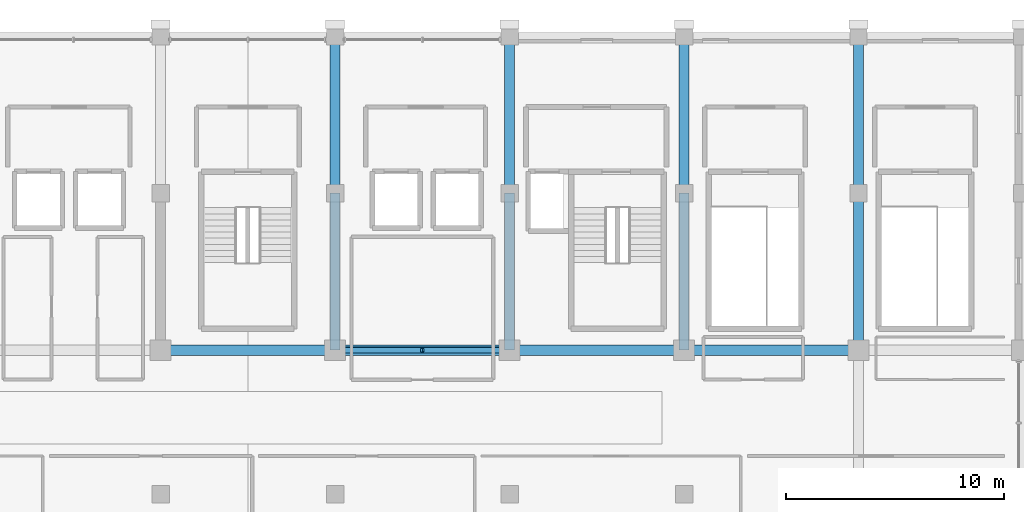
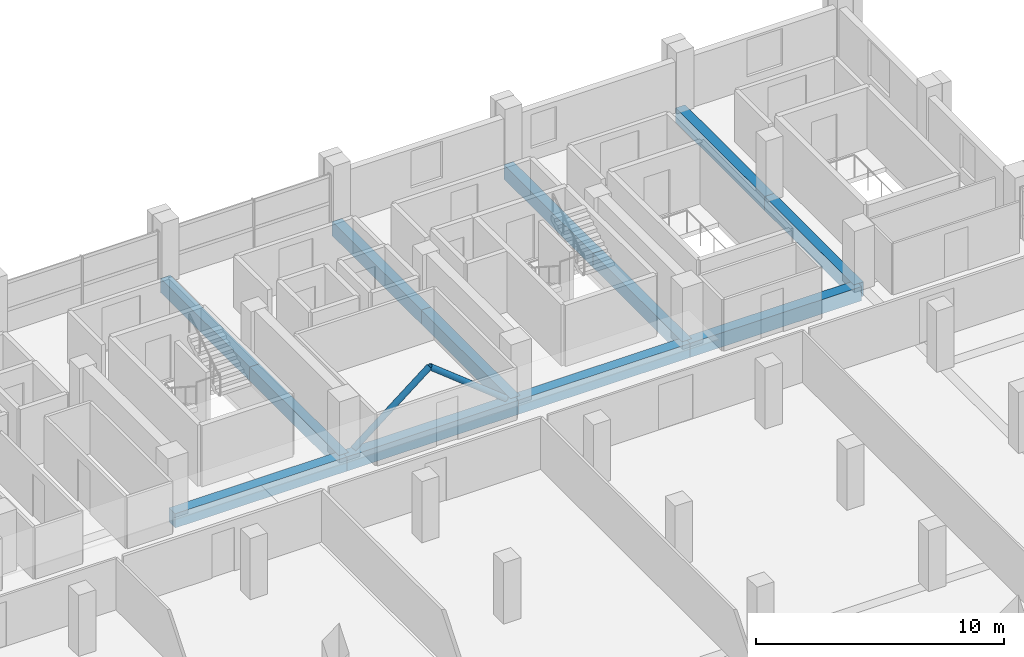
# One storey, part 11 of 21: 12 beams, 2 members.
"""IFC4 building model written with IfcOpenShell, lengths in metres."""

from ifc_helpers import new_model, si_unit, direction, frame, origin, origin_2d, place, context, subcontext, project, spatial, rectangle, hollow_circle, extrude, material, material_profile, profile_set, type_object, element, save


model = new_model("IFC4")

# Units and contexts
model_context = context("Model", 3, precision=1e-05, world=origin(), true_north=direction((0.0, 1.0)))
body_context = subcontext(model_context, "Body", "Model", "MODEL_VIEW")
ifc_project = project(units=[si_unit("LENGTHUNIT", "METRE"), si_unit("AREAUNIT", "SQUARE_METRE"), si_unit("VOLUMEUNIT", "CUBIC_METRE"), si_unit("PLANEANGLEUNIT", "RADIAN"), si_unit("MASSUNIT", "GRAM", prefix="KILO")], contexts=[model_context])

# Site, building, storey
site_placement = place(None, origin())
site = spatial("IfcSite", under=ifc_project, at=site_placement, CompositionType="ELEMENT")
building_placement = place(site_placement, origin())
building = spatial("IfcBuilding", under=site, at=building_placement, Name="Akrevak Sports Hall", CompositionType="ELEMENT")
storey_placement = place(building_placement, frame((0.0, 0.0, 37.300048828125)))
storey = spatial("IfcBuildingStorey", under=building, at=storey_placement, Name="L08", CompositionType="ELEMENT", Elevation=37.300048828125)

# Beams
ifc_material_1 = material(Name="Concrete C40/50", Category="concrete")
ifc_material_profile_1 = material_profile(ifc_material_1, rectangle(XDim=0.449951171875, YDim=0.699951171875, at=origin_2d()), Name="BM 450x700", Category="concrete")
ifc_profile_set_1 = profile_set([ifc_material_profile_1], Name="Concrete C40/50")
beam_type_1 = type_object("IfcBeamType", Name="STR-BM-RC450x700", PredefinedType="BEAM", material=ifc_profile_set_1)
beam_1_placement = place(storey_placement, frame((84.0, 55.199951171875, -0.35009765625), z_axis=(0.0, 1.0, 0.0), x_axis=(-1.0, 0.0, 0.0)))
element("IfcBeam", 1, at=beam_1_placement, inside=storey, type_object=beam_type_1, Name="Girder 12/I-J (L08)", PredefinedType="BEAM", context=body_context, shape_type="SweptSolid", body=[
    extrude(rectangle(XDim=0.449951171875, YDim=0.699951171875, at=origin_2d()), origin(), (0.0, 0.0, 1.0), 7.199951171875),
])
beam_2_placement = place(storey_placement, frame((84.0, 62.39990234375, -0.35009765625), z_axis=(0.0, 1.0, 0.0), x_axis=(-1.0, 0.0, 0.0)))
element("IfcBeam", 2, at=beam_2_placement, inside=storey, type_object=beam_type_1, Name="Girder 12/J-K (L08)", PredefinedType="BEAM", context=body_context, shape_type="SweptSolid", body=[
    extrude(rectangle(XDim=0.449951171875, YDim=0.699951171875, at=origin_2d()), origin(), (0.0, 0.0, 1.0), 7.2001953125),
])
beam_3_placement = place(storey_placement, frame((92.0, 55.199951171875, -0.35009765625), z_axis=(0.0, 1.0, 0.0), x_axis=(-1.0, 0.0, 0.0)))
element("IfcBeam", 3, at=beam_3_placement, inside=storey, type_object=beam_type_1, Name="Girder 13/I-J (L08)", PredefinedType="BEAM", context=body_context, shape_type="SweptSolid", body=[
    extrude(rectangle(XDim=0.449951171875, YDim=0.699951171875, at=origin_2d()), origin(), (0.0, 0.0, 1.0), 7.199951171875),
])
beam_4_placement = place(storey_placement, frame((92.0, 62.39990234375, -0.35009765625), z_axis=(0.0, 1.0, 0.0), x_axis=(-1.0, 0.0, 0.0)))
element("IfcBeam", 4, at=beam_4_placement, inside=storey, type_object=beam_type_1, Name="Girder 13/J-K (L08)", PredefinedType="BEAM", context=body_context, shape_type="SweptSolid", body=[
    extrude(rectangle(XDim=0.449951171875, YDim=0.699951171875, at=origin_2d()), origin(), (0.0, 0.0, 1.0), 7.2001953125),
])
beam_5_placement = place(storey_placement, frame((100.0, 55.199951171875, -0.35009765625), z_axis=(0.0, 1.0, 0.0), x_axis=(-1.0, 0.0, 0.0)))
element("IfcBeam", 5, at=beam_5_placement, inside=storey, type_object=beam_type_1, Name="Girder 14/I-J (L08)", PredefinedType="BEAM", context=body_context, shape_type="SweptSolid", body=[
    extrude(rectangle(XDim=0.449951171875, YDim=0.699951171875, at=origin_2d()), origin(), (0.0, 0.0, 1.0), 7.199951171875),
])
beam_6_placement = place(storey_placement, frame((100.0, 62.39990234375, -0.35009765625), z_axis=(0.0, 1.0, 0.0), x_axis=(-1.0, 0.0, 0.0)))
element("IfcBeam", 6, at=beam_6_placement, inside=storey, type_object=beam_type_1, Name="Girder 14/J-K (L08)", PredefinedType="BEAM", context=body_context, shape_type="SweptSolid", body=[
    extrude(rectangle(XDim=0.449951171875, YDim=0.699951171875, at=origin_2d()), origin(), (0.0, 0.0, 1.0), 7.2001953125),
])
beam_7_placement = place(storey_placement, frame((108.0, 55.199951171875, -0.35009765625), z_axis=(0.0, 1.0, 0.0), x_axis=(-1.0, 0.0, 0.0)))
element("IfcBeam", 7, at=beam_7_placement, inside=storey, type_object=beam_type_1, Name="Girder 15/I-J (L08)", PredefinedType="BEAM", context=body_context, shape_type="SweptSolid", body=[
    extrude(rectangle(XDim=0.449951171875, YDim=0.699951171875, at=origin_2d()), origin(), (0.0, 0.0, 1.0), 7.199951171875),
])
beam_8_placement = place(storey_placement, frame((108.0, 62.39990234375, -0.35009765625), z_axis=(0.0, 1.0, 0.0), x_axis=(-1.0, 0.0, 0.0)))
element("IfcBeam", 8, at=beam_8_placement, inside=storey, type_object=beam_type_1, Name="Girder 15/J-K (L08)", PredefinedType="BEAM", context=body_context, shape_type="SweptSolid", body=[
    extrude(rectangle(XDim=0.449951171875, YDim=0.699951171875, at=origin_2d()), origin(), (0.0, 0.0, 1.0), 7.2001953125),
])
ifc_material_profile_2 = material_profile(ifc_material_1, rectangle(XDim=0.5, YDim=0.699951171875, at=origin_2d()), Name="BM 500x700", Category="concrete")
ifc_profile_set_2 = profile_set([ifc_material_profile_2], Name="Concrete C40/50")
beam_type_2 = type_object("IfcBeamType", Name="STR-BM-RC500x700", PredefinedType="BEAM", material=ifc_profile_set_2)
for number, where, z_axis, x_axis, name in (
    (9, (76.0, 55.199951171875, -0.35009765625), (1.0, 0.0, 0.0), (0.0, 1.0, 0.0), "Girder I/11-12 (L08)"),
    (10, (84.0, 55.199951171875, -0.35009765625), (1.0, 0.0, 0.0), (0.0, 1.0, 0.0), "Girder I/12-13 (L08)"),
    (11, (92.0, 55.199951171875, -0.35009765625), (1.0, 0.0, 0.0), (0.0, 1.0, 0.0), "Girder I/13-14 (L08)"),
    (12, (100.0, 55.199951171875, -0.35009765625), (1.0, 0.0, 0.0), (0.0, 1.0, 0.0), "Girder I/14-15 (L08)"),
):
    element("IfcBeam", number, at=place(storey_placement, frame(where, z_axis=z_axis, x_axis=x_axis)), inside=storey, type_object=beam_type_2, Name=name, PredefinedType="BEAM", context=body_context, shape_type="SweptSolid", body=[
        extrude(rectangle(XDim=0.5, YDim=0.699951171875, at=origin_2d()), origin(), (0.0, 0.0, 1.0), 8.0),
    ])

# Members
ifc_material_2 = material(Name="Steel S355", Category="steel")
ifc_material_profile_3 = material_profile(ifc_material_2, hollow_circle(Radius=0.136474609375, WallThickness=0.012451171875, at=origin_2d()), Name="CHS 273x12.5", Category="steel")
ifc_profile_set_3 = profile_set([ifc_material_profile_3], Name="Steel S355")
member_type = type_object("IfcMemberType", Name="STR-MEM-BRACE-CHS273", PredefinedType="BRACE", material=ifc_profile_set_3)
for number, where, z_axis, x_axis, name in (
    (13, (84.449951171875, 55.199951171875, 0.099853515625), (0.784088465774, 0.0, 0.620649077853), (0.0, 1.0, 0.0), "Tower Chevron Steel Brace L08-4A"),
    (14, (91.550048828125, 55.199951171875, 0.099853515625), (-0.784088465774, 0.0, 0.620649077853), (0.0, -1.0, 0.0), "Tower Chevron Steel Brace L08-4B"),
):
    element("IfcMember", number, at=place(storey_placement, frame(where, z_axis=z_axis, x_axis=x_axis)), inside=storey, type_object=member_type, Name=name, PredefinedType="BRACE", context=body_context, shape_type="SweptSolid", body=[
        extrude(hollow_circle(Radius=0.136474609375, WallThickness=0.012451171875, at=origin_2d()), origin(), (0.0, 0.0, 1.0), 4.527587890625),
    ])

save(model, "model.ifc")
